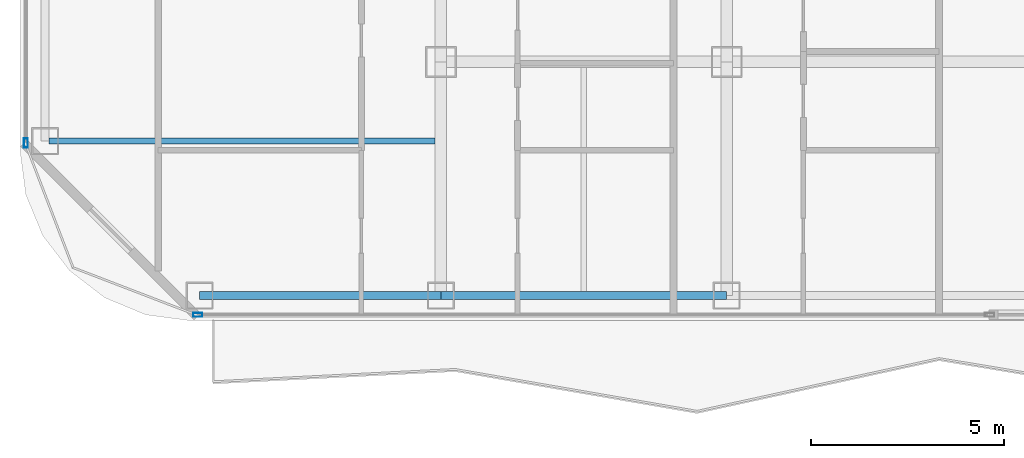
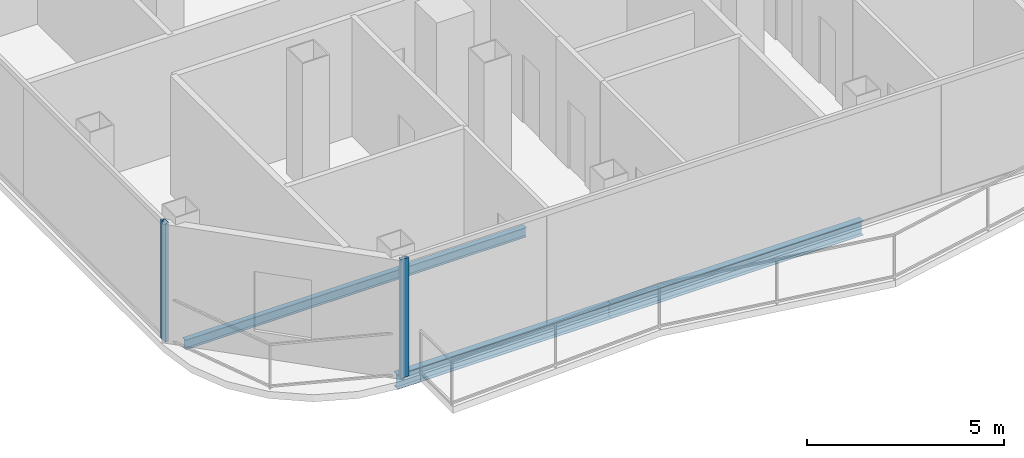
# One storey, part 2 of 25: 3 beams, 2 members, 2 elements without a shape of their own.
"""IFC4 building model written with IfcOpenShell, lengths in metres."""

from ifc_helpers import new_model, si_unit, direction, frame, origin, origin_2d, place, context, subcontext, project, spatial, hollow_rectangle, i_section, extrude, material, layer, layer_set, material_profile, profile_set, type_object, element, aggregate, save


model = new_model("IFC4")

# Units and contexts
model_context = context("Model", 3, precision=1e-05, world=origin(), true_north=direction((0.0, 1.0)))
body_context = subcontext(model_context, "Body", "Model", "MODEL_VIEW")
ifc_project = project(units=[si_unit("LENGTHUNIT", "METRE"), si_unit("AREAUNIT", "SQUARE_METRE"), si_unit("VOLUMEUNIT", "CUBIC_METRE"), si_unit("PLANEANGLEUNIT", "RADIAN"), si_unit("MASSUNIT", "GRAM", prefix="KILO")], contexts=[model_context])

# Site, building, storey
site_placement = place(None, origin())
site = spatial("IfcSite", under=ifc_project, at=site_placement, CompositionType="ELEMENT")
building_placement = place(site_placement, origin())
building = spatial("IfcBuilding", under=site, at=building_placement, Name="Khorvyn Point Tower", CompositionType="ELEMENT")
storey_placement = place(building_placement, frame((0.0, 0.0, 171.89990234375)))
storey = spatial("IfcBuildingStorey", under=building, at=storey_placement, Name="L42", CompositionType="ELEMENT", Elevation=171.89990234375)

# Curtain wall, member
ifc_material_1 = material(Name="Anodised aluminium 6063-T6 and laminated Low-E glass", Category="aluminium")
ifc_layer = layer(ifc_material_1, 0.18994140625)
ifc_layer_set = layer_set([ifc_layer], Name="Stick-Built Acoustic Curtain Wall CW-SYS-03")
curtain_wall_type = type_object("IfcCurtainWallType", Name="Stick-Built Acoustic Curtain Wall CW-SYS-03", PredefinedType="NOTDEFINED", material=ifc_layer_set)
curtain_wall_1_placement = place(storey_placement, origin())
curtain_wall_1 = element("IfcCurtainWall", 1, at=curtain_wall_1_placement, inside=storey, type_object=curtain_wall_type, Name="Curtain Wall", PredefinedType="NOTDEFINED")
ifc_material_2 = material(Name="Anodised aluminium 6063-T6", Category="aluminium")
ifc_material_profile_1 = material_profile(ifc_material_2, hollow_rectangle(XDim=0.10009765625, YDim=0.239990234375, WallThickness=0.0048828125, at=origin_2d()))
ifc_profile_set_1 = profile_set([ifc_material_profile_1], Name="Anodised aluminium 6063-T6 ALU-MUL-100x240")
member_type = type_object("IfcMemberType", Name="Anodised Aluminium 6063-T6 Mullion ALU-MUL-100x240", PredefinedType="MULLION", material=ifc_profile_set_1)
member_1_placement = place(storey_placement, frame((-21.10009765625, -23.64990234375, 0.0), z_axis=(0.0, 0.0, 1.0), x_axis=(0.0, -1.0, 0.0)))
member_1 = element("IfcMember", 2, at=member_1_placement, type_object=member_type, Name="Transom", PredefinedType="MULLION", context=body_context, shape_type="SweptSolid", body=[
    extrude(hollow_rectangle(XDim=0.10009765625, YDim=0.239990234375, WallThickness=0.0048828125, at=origin_2d()), origin(), (0.0, 0.0, 1.0), 3.68017578125),
])
aggregate(curtain_wall_1, [member_1])

curtain_wall_2_placement = place(storey_placement, origin())
curtain_wall_2 = element("IfcCurtainWall", 3, at=curtain_wall_2_placement, inside=storey, type_object=curtain_wall_type, Name="Curtain Wall", PredefinedType="NOTDEFINED")
member_2_placement = place(storey_placement, frame((-25.550048828125, -19.199951171875, 0.0), z_axis=(0.0, 0.0, 1.0), x_axis=(-1.0, 0.0, 0.0)))
member_2 = element("IfcMember", 4, at=member_2_placement, type_object=member_type, Name="Transom", PredefinedType="MULLION", context=body_context, shape_type="SweptSolid", body=[
    extrude(hollow_rectangle(XDim=0.10009765625, YDim=0.239990234375, WallThickness=0.0048828125, at=origin_2d()), origin(), (0.0, 0.0, 1.0), 3.68017578125),
])
aggregate(curtain_wall_2, [member_2])

# Beams
ifc_material_3 = material(Name="Steel S355", Category="steel")
ifc_material_profile_2 = material_profile(ifc_material_3, i_section(OverallWidth=0.14990234375, OverallDepth=0.300048828125, WebThickness=0.006591796875, FlangeThickness=0.009033203125, at=origin_2d()))
ifc_profile_set_2 = profile_set([ifc_material_profile_2], Name="Steel S355 H300x150x6.5x9")
beam_type_1 = type_object("IfcBeamType", Name="Steel S355 Joist H300x150x6.5x9", PredefinedType="JOIST", material=ifc_profile_set_2)
beam_1_placement = place(storey_placement, frame((-24.949951171875, -19.14990234375, -0.369873046875), z_axis=(1.0, 0.0, 0.0), x_axis=(0.0, 1.0, 0.0)))
element("IfcBeam", 5, at=beam_1_placement, inside=storey, type_object=beam_type_1, Name="Beam", PredefinedType="JOIST", context=body_context, shape_type="SweptSolid", body=[
    extrude(i_section(OverallWidth=0.14990234375, OverallDepth=0.300048828125, WebThickness=0.006591796875, FlangeThickness=0.009033203125, at=origin_2d()), origin(), (0.0, 0.0, 1.0), 10.0),
])
ifc_material_profile_3 = material_profile(ifc_material_3, i_section(OverallWidth=0.199951171875, OverallDepth=0.449951171875, WebThickness=0.009033203125, FlangeThickness=0.013916015625, at=origin_2d()))
ifc_profile_set_3 = profile_set([ifc_material_profile_3], Name="Steel S355 H450x200x9x14")
beam_type_2 = type_object("IfcBeamType", Name="Steel S355 Spandrel H450x200x9x14", PredefinedType="SPANDREL", material=ifc_profile_set_3)
beam_2_placement = place(storey_placement, frame((-21.050048828125, -23.14990234375, -0.44482421875), z_axis=(1.0, 0.0, 0.0), x_axis=(0.0, 1.0, 0.0)))
element("IfcBeam", 6, at=beam_2_placement, inside=storey, type_object=beam_type_2, Name="Beam", PredefinedType="SPANDREL", context=body_context, shape_type="SweptSolid", body=[
    extrude(i_section(OverallWidth=0.199951171875, OverallDepth=0.449951171875, WebThickness=0.009033203125, FlangeThickness=0.013916015625, at=origin_2d()), origin(), (0.0, 0.0, 1.0), 6.25),
])
beam_3_placement = place(storey_placement, frame((-14.800048828125, -23.14990234375, -0.44482421875), z_axis=(1.0, 0.0, 0.0), x_axis=(0.0, 1.0, 0.0)))
element("IfcBeam", 7, at=beam_3_placement, inside=storey, type_object=beam_type_2, Name="Beam", PredefinedType="SPANDREL", context=body_context, shape_type="SweptSolid", body=[
    extrude(i_section(OverallWidth=0.199951171875, OverallDepth=0.449951171875, WebThickness=0.009033203125, FlangeThickness=0.013916015625, at=origin_2d()), origin(), (0.0, 0.0, 1.0), 7.400146484375),
])

save(model, "model.ifc")
